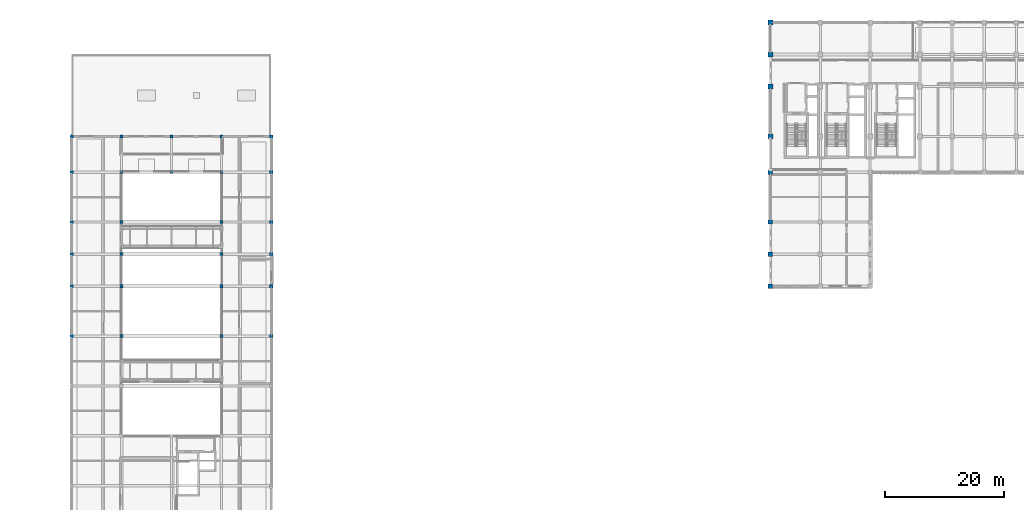
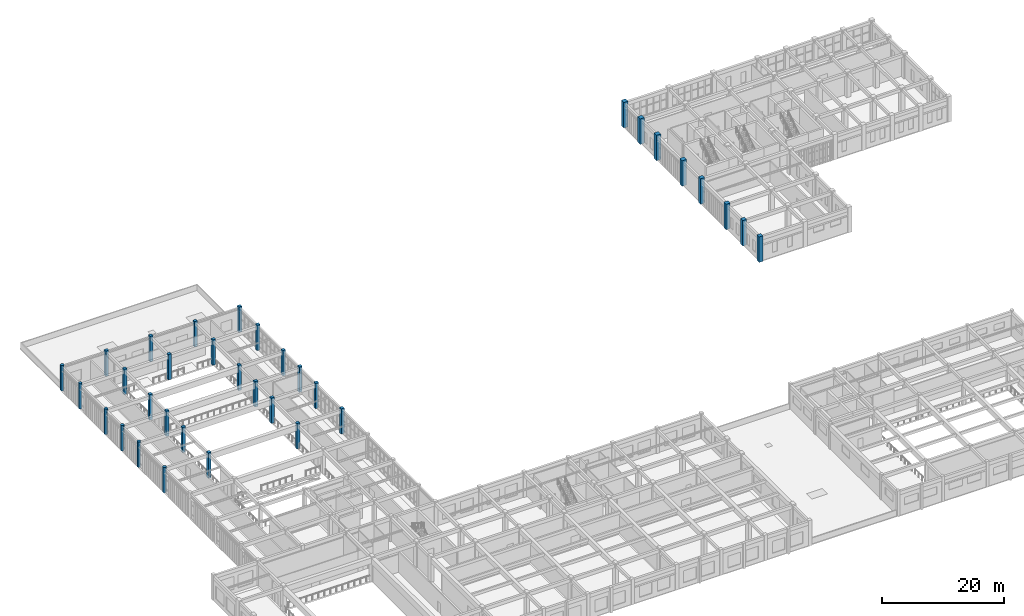
# One storey, part 7 of 77: 34 columns.
"""IFC4 building model written with IfcOpenShell, lengths in metres."""

from ifc_helpers import new_model, si_unit, direction, frame, origin, origin_2d, place, context, subcontext, project, spatial, rectangle, circle, extrude, material, material_profile, profile_set, type_object, element, save


model = new_model("IFC4")

# Units and contexts
model_context = context("Model", 3, precision=1e-05, world=origin(), true_north=direction((0.0, 1.0)))
body_context = subcontext(model_context, "Body", "Model", "MODEL_VIEW")
ifc_project = project(units=[si_unit("LENGTHUNIT", "METRE"), si_unit("AREAUNIT", "SQUARE_METRE"), si_unit("VOLUMEUNIT", "CUBIC_METRE"), si_unit("PLANEANGLEUNIT", "RADIAN"), si_unit("MASSUNIT", "GRAM", prefix="KILO")], contexts=[model_context])

# Site, building, storey
site_placement = place(None, origin())
site = spatial("IfcSite", under=ifc_project, at=site_placement, CompositionType="ELEMENT")
building_placement = place(site_placement, origin())
building = spatial("IfcBuilding", under=site, at=building_placement, Name="Krzemoval Escarpment Law Courts", CompositionType="ELEMENT")
storey_placement = place(building_placement, frame((0.0, 0.0, 15.300048828125)))
storey = spatial("IfcBuildingStorey", under=building, at=storey_placement, Name="L03", CompositionType="ELEMENT", Elevation=15.300048828125)

# Columns
ifc_material_1 = material(Name="Concrete C40/50", Category="concrete")
ifc_material_profile_1 = material_profile(ifc_material_1, rectangle(XDim=0.550048828125, YDim=0.550048828125, at=origin_2d()), Name="RC 550x550")
ifc_profile_set_1 = profile_set([ifc_material_profile_1], Name="Concrete C40/50")
column_type_1 = type_object("IfcColumnType", Name="COL-RC-550", PredefinedType="COLUMN", material=ifc_profile_set_1)
for number, where, z_axis, x_axis, name in (
    (1, (16.800048828125, 66.0, 0.0), (0.0, 0.0, 1.0), (1.0, 0.0, 0.0), "Column FC-L03-1021"),
    (2, (16.800048828125, 74.39990234375, 0.0), (0.0, 0.0, 1.0), (1.0, 0.0, 0.0), "Column FC-L03-1022"),
    (3, (16.800048828125, 79.800048828125, 0.0), (0.0, 0.0, 1.0), (1.0, 0.0, 0.0), "Column FC-L03-1023"),
    (4, (16.800048828125, 85.199951171875, 0.0), (0.0, 0.0, 1.0), (1.0, 0.0, 0.0), "Column FC-L03-1024"),
    (5, (16.800048828125, 93.60009765625, 0.0), (0.0, 0.0, 1.0), (1.0, 0.0, 0.0), "Column FC-L03-1025"),
    (6, (16.800048828125, 99.60009765625, 0.0), (0.0, 0.0, 1.0), (1.0, 0.0, 0.0), "Column FC-L03-1026"),
    (7, (25.199951171875, 93.60009765625, 0.0), (0.0, 0.0, 1.0), (1.0, 0.0, 0.0), "Column FC-L03-1033"),
    (8, (25.199951171875, 99.60009765625, 0.0), (0.0, 0.0, 1.0), (1.0, 0.0, 0.0), "Column FC-L03-1034"),
    (9, (33.60009765625, 66.0, 0.0), (0.0, 0.0, 1.0), (1.0, 0.0, 0.0), "Column FC-L03-1043"),
    (10, (33.60009765625, 74.39990234375, 0.0), (0.0, 0.0, 1.0), (1.0, 0.0, 0.0), "Column FC-L03-1044"),
    (11, (33.60009765625, 79.800048828125, 0.0), (0.0, 0.0, 1.0), (1.0, 0.0, 0.0), "Column FC-L03-1045"),
    (12, (33.60009765625, 85.199951171875, 0.0), (0.0, 0.0, 1.0), (1.0, 0.0, 0.0), "Column FC-L03-1046"),
    (13, (33.60009765625, 93.60009765625, 0.0), (0.0, 0.0, 1.0), (1.0, 0.0, 0.0), "Column FC-L03-1047"),
    (14, (33.60009765625, 99.60009765625, 0.0), (0.0, 0.0, 1.0), (1.0, 0.0, 0.0), "Column FC-L03-1048"),
    (15, (42.0, 66.0, 0.0), (0.0, 0.0, 1.0), (1.0, 0.0, 0.0), "Column FC-L03-1057"),
    (16, (42.0, 74.39990234375, 0.0), (0.0, 0.0, 1.0), (1.0, 0.0, 0.0), "Column FC-L03-1058"),
    (17, (42.0, 79.800048828125, 0.0), (0.0, 0.0, 1.0), (1.0, 0.0, 0.0), "Column FC-L03-1059"),
    (18, (42.0, 85.199951171875, 0.0), (0.0, 0.0, 1.0), (1.0, 0.0, 0.0), "Column FC-L03-1060"),
    (19, (42.0, 93.60009765625, 0.0), (0.0, 0.0, 1.0), (1.0, 0.0, 0.0), "Column FC-L03-1061"),
    (20, (42.0, 99.60009765625, 0.0), (0.0, 0.0, 1.0), (1.0, 0.0, 0.0), "Column FC-L03-1062"),
):
    element("IfcColumn", number, at=place(storey_placement, frame(where, z_axis=z_axis, x_axis=x_axis)), inside=storey, type_object=column_type_1, Name=name, PredefinedType="COLUMN", context=body_context, shape_type="SweptSolid", body=[
        extrude(rectangle(XDim=0.550048828125, YDim=0.550048828125, at=origin_2d()), origin(), (0.0, 0.0, 1.0), 5.099853515625),
    ])
ifc_material_2 = material(Name="Concrete C40/50", Category="concrete")
ifc_material_profile_2 = material_profile(ifc_material_2, rectangle(XDim=0.75, YDim=0.75, at=origin_2d()), Name="RC 750x750")
ifc_profile_set_2 = profile_set([ifc_material_profile_2], Name="Concrete C40/50")
column_type_2 = type_object("IfcColumnType", Name="COL-RC-750", PredefinedType="COLUMN", material=ifc_profile_set_2)
for number, where, z_axis, x_axis, name in (
    (21, (126.0, 74.39990234375, 0.0), (0.0, 0.0, 1.0), (1.0, 0.0, 0.0), "Column FC-L03-1108"),
    (22, (126.0, 79.800048828125, 0.0), (0.0, 0.0, 1.0), (1.0, 0.0, 0.0), "Column FC-L03-1109"),
    (23, (126.0, 85.199951171875, 0.0), (0.0, 0.0, 1.0), (1.0, 0.0, 0.0), "Column FC-L03-1110"),
    (24, (126.0, 93.60009765625, 0.0), (0.0, 0.0, 1.0), (1.0, 0.0, 0.0), "Column FC-L03-1111"),
):
    element("IfcColumn", number, at=place(storey_placement, frame(where, z_axis=z_axis, x_axis=x_axis)), inside=storey, type_object=column_type_2, Name=name, PredefinedType="COLUMN", context=body_context, shape_type="SweptSolid", body=[
        extrude(rectangle(XDim=0.75, YDim=0.75, at=origin_2d()), origin(), (0.0, 0.0, 1.0), 5.099853515625),
    ])
ifc_material_3 = material(Name="Concrete C40/50", Category="concrete")
ifc_material_profile_3 = material_profile(ifc_material_3, rectangle(XDim=0.800048828125, YDim=0.800048828125, at=origin_2d()), Name="RC 800x800")
ifc_profile_set_3 = profile_set([ifc_material_profile_3], Name="Concrete C40/50")
column_type_3 = type_object("IfcColumnType", Name="COL-RC-800", PredefinedType="COLUMN", material=ifc_profile_set_3)
for number, where, z_axis, x_axis, name in (
    (25, (126.0, 99.60009765625, 0.0), (0.0, 0.0, 1.0), (1.0, 0.0, 0.0), "Column FC-L03-1112"),
    (26, (126.0, 108.0, 0.0), (0.0, 0.0, 1.0), (1.0, 0.0, 0.0), "Column FC-L03-1113"),
    (27, (126.0, 113.39990234375, 0.0), (0.0, 0.0, 1.0), (1.0, 0.0, 0.0), "Column FC-L03-1114"),
    (28, (126.0, 118.800048828125, 0.0), (0.0, 0.0, 1.0), (1.0, 0.0, 0.0), "Column FC-L03-1115"),
):
    element("IfcColumn", number, at=place(storey_placement, frame(where, z_axis=z_axis, x_axis=x_axis)), inside=storey, type_object=column_type_3, Name=name, PredefinedType="COLUMN", context=body_context, shape_type="SweptSolid", body=[
        extrude(rectangle(XDim=0.800048828125, YDim=0.800048828125, at=origin_2d()), origin(), (0.0, 0.0, 1.0), 5.099853515625),
    ])
ifc_material_4 = material(Name="Concrete C40/50", Category="concrete")
ifc_material_profile_4 = material_profile(ifc_material_4, circle(Radius=0.300048828125, at=origin_2d()), Name="RC D600")
ifc_profile_set_4 = profile_set([ifc_material_profile_4], Name="Concrete C40/50")
column_type_4 = type_object("IfcColumnType", Name="COL-RCD-600", PredefinedType="COLUMN", material=ifc_profile_set_4)
for number, where, z_axis, x_axis, name in (
    (29, (8.39990234375, 66.0, 0.0), (0.0, 0.0, 1.0), (1.0, 0.0, 0.0), "Column FC-L03-1010"),
    (30, (8.39990234375, 74.39990234375, 0.0), (0.0, 0.0, 1.0), (1.0, 0.0, 0.0), "Column FC-L03-1011"),
    (31, (8.39990234375, 79.800048828125, 0.0), (0.0, 0.0, 1.0), (1.0, 0.0, 0.0), "Column FC-L03-1012"),
    (32, (8.39990234375, 85.199951171875, 0.0), (0.0, 0.0, 1.0), (1.0, 0.0, 0.0), "Column FC-L03-1013"),
    (33, (8.39990234375, 93.60009765625, 0.0), (0.0, 0.0, 1.0), (1.0, 0.0, 0.0), "Column FC-L03-1014"),
    (34, (8.39990234375, 99.60009765625, 0.0), (0.0, 0.0, 1.0), (1.0, 0.0, 0.0), "Column FC-L03-1015"),
):
    element("IfcColumn", number, at=place(storey_placement, frame(where, z_axis=z_axis, x_axis=x_axis)), inside=storey, type_object=column_type_4, Name=name, PredefinedType="COLUMN", context=body_context, shape_type="SweptSolid", body=[
        extrude(circle(Radius=0.300048828125, at=origin_2d()), origin(), (0.0, 0.0, 1.0), 5.099853515625),
    ])

save(model, "model.ifc")
